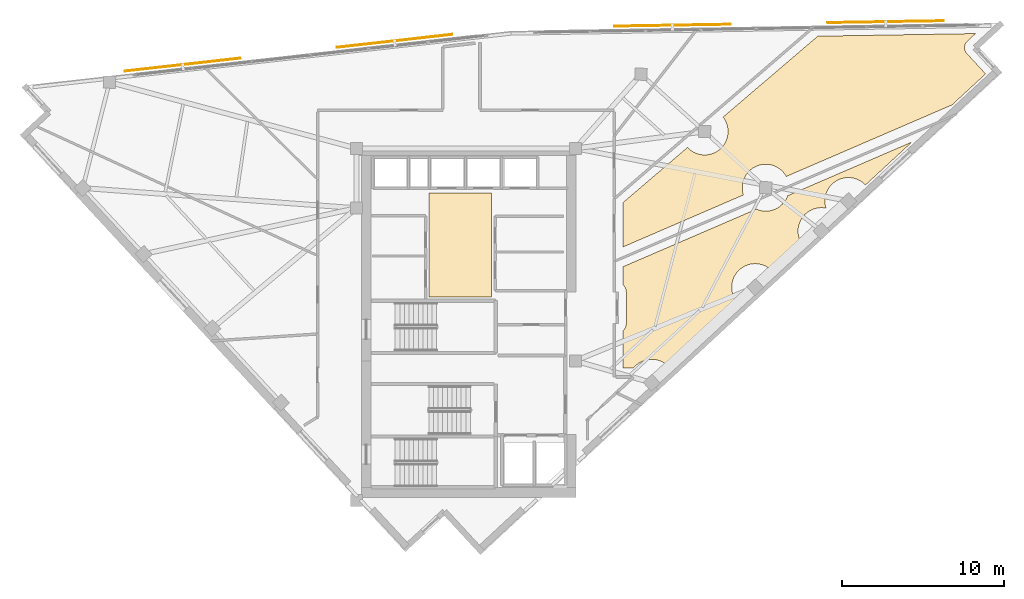
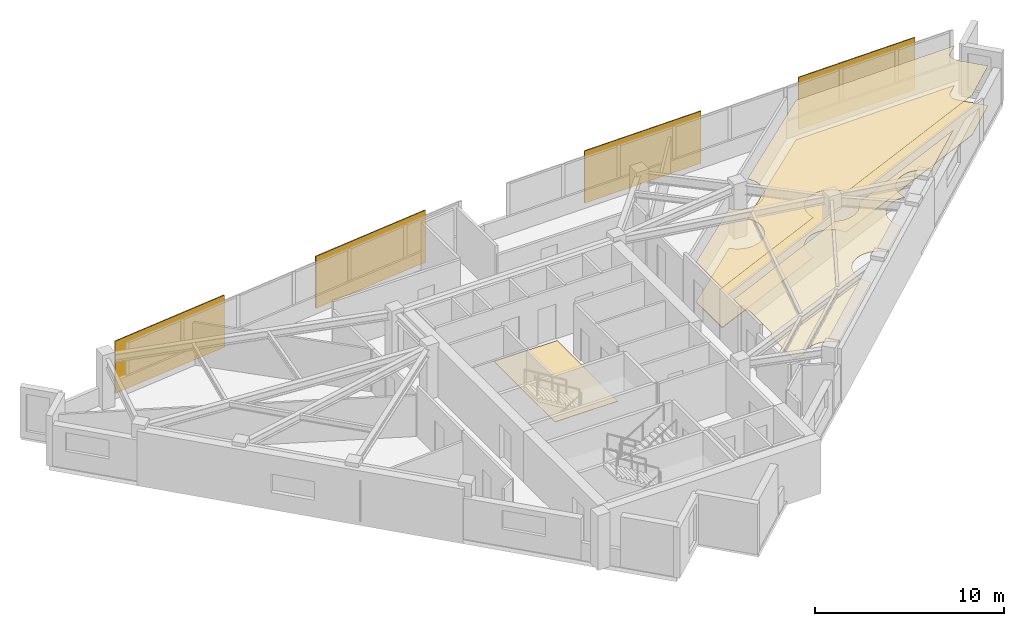
# One storey, part 13 of 13: 4 coverings, 4 shading devices.
"""IFC4 building model written with IfcOpenShell, lengths in metres."""

from ifc_helpers import new_model, si_unit, direction, frame, origin, origin_2d, place, context, subcontext, project, spatial, polyline, rectangle, outline, extrude, material, layer, layer_set, type_object, element, save


model = new_model("IFC4")

# Units and contexts
model_context = context("Model", 3, precision=1e-05, world=origin(), true_north=direction((0.0, 1.0)))
body_context = subcontext(model_context, "Body", "Model", "MODEL_VIEW")
ifc_project = project(units=[si_unit("LENGTHUNIT", "METRE"), si_unit("AREAUNIT", "SQUARE_METRE"), si_unit("VOLUMEUNIT", "CUBIC_METRE"), si_unit("PLANEANGLEUNIT", "RADIAN"), si_unit("MASSUNIT", "GRAM", prefix="KILO")], contexts=[model_context])

# Site, building, storey
site_placement = place(None, origin())
site = spatial("IfcSite", under=ifc_project, at=site_placement, CompositionType="ELEMENT")
building_placement = place(site_placement, origin())
building = spatial("IfcBuilding", under=site, at=building_placement, Name="Narakoshi Arena Tower", CompositionType="ELEMENT")
storey_placement = place(building_placement, frame((0.0, 0.0, 264.260009765625)))
storey = spatial("IfcBuildingStorey", under=building, at=storey_placement, Name="L72", CompositionType="ELEMENT", Elevation=264.260009765625)

# Coverings
ifc_material_1 = material(Name="Acoustic mineral-fibre ceiling tile")
ifc_layer_1 = layer(ifc_material_1, 0.02001953125)
ifc_layer_set_1 = layer_set([ifc_layer_1], Name="Acoustic mineral-fibre ceiling tile")
covering_type_1 = type_object("IfcCoveringType", Name="COV-CLG-AC20", PredefinedType="CEILING", material=ifc_layer_set_1)
covering_1_placement = place(storey_placement, frame((0.0, 0.0, 2.590087890625)))
element("IfcCovering", 1, at=covering_1_placement, inside=storey, type_object=covering_type_1, Name="L72 Suspended Acoustic Ceiling 1", PredefinedType="CEILING", context=body_context, shape_type="SweptSolid", body=[
    extrude(outline(polyline([(109.776611328125, 63.10205078125), (109.742919921875, 63.06005859375), (109.71337890625, 63.014892578125), (109.688232421875, 62.967041015625), (109.668212890625, 62.9169921875), (109.653076171875, 62.865234375), (109.64306640625, 62.81201171875), (109.63818359375, 62.75830078125), (109.638916015625, 62.704345703125), (109.64453125, 62.65087890625), (109.655517578125, 62.597900390625), (109.671875, 62.54638671875), (109.69287109375, 62.496826171875), (109.71875, 62.449462890625), (109.749267578125, 62.40478515625), (109.783935546875, 62.363525390625), (110.94140625, 61.111328125), (108.863037109375, 59.1904296875), (98.60107421875, 54.76025390625), (98.53466796875, 54.87109375), (98.449951171875, 54.9853515625), (98.354248046875, 55.0908203125), (98.248779296875, 55.186279296875), (98.134521484375, 55.27099609375), (98.012451171875, 55.34423828125), (97.8837890625, 55.405029296875), (97.75, 55.453125), (97.61181640625, 55.487548828125), (97.47119140625, 55.508544921875), (97.3291015625, 55.515380859375), (97.18701171875, 55.508544921875), (97.046142578125, 55.487548828125), (96.908203125, 55.453125), (96.774169921875, 55.405029296875), (96.6455078125, 55.34423828125), (96.5234375, 55.27099609375), (96.4091796875, 55.186279296875), (96.3037109375, 55.0908203125), (96.2080078125, 54.9853515625), (96.123291015625, 54.87109375), (96.05029296875, 54.7490234375), (95.989501953125, 54.620361328125), (95.94140625, 54.486328125), (95.906982421875, 54.348388671875), (95.885986328125, 54.20751953125), (95.87890625, 54.0654296875), (95.885986328125, 53.92333984375), (95.906982421875, 53.78271484375), (95.94140625, 53.64453125), (95.951416015625, 53.616455078125), (88.50537109375, 50.402099609375), (88.50537109375, 53.15234375), (92.490234375, 56.556640625), (92.525146484375, 56.518310546875), (92.630615234375, 56.422607421875), (92.744873046875, 56.337890625), (92.866943359375, 56.264892578125), (92.99560546875, 56.2041015625), (93.12939453125, 56.156005859375), (93.267578125, 56.12158203125), (93.408203125, 56.1005859375), (93.55029296875, 56.093505859375), (93.6923828125, 56.1005859375), (93.833251953125, 56.12158203125), (93.97119140625, 56.156005859375), (94.105224609375, 56.2041015625), (94.23388671875, 56.264892578125), (94.35595703125, 56.337890625), (94.47021484375, 56.422607421875), (94.57568359375, 56.518310546875), (94.67138671875, 56.623779296875), (94.756103515625, 56.738037109375), (94.8291015625, 56.860107421875), (94.889892578125, 56.98876953125), (94.93798828125, 57.122802734375), (94.972412109375, 57.2607421875), (94.993408203125, 57.401611328125), (95.00048828125, 57.543701171875), (94.993408203125, 57.685791015625), (94.972412109375, 57.826416015625), (94.93798828125, 57.964599609375), (94.889892578125, 58.098388671875), (94.8291015625, 58.22705078125), (94.756103515625, 58.34912109375), (94.69091796875, 58.43701171875), (100.553466796875, 63.4453125), (110.31787109375, 63.606201171875), (109.814453125, 63.140625), (109.776611328125, 63.10205078125)])), origin(), (0.0, 0.0, 1.0), 0.02001953125),
])
ifc_material_2 = material(Name="Slatted oak acoustic timber baffle", Category="wood")
ifc_layer_2 = layer(ifc_material_2, 0.034912109375)
ifc_layer_set_2 = layer_set([ifc_layer_2], Name="Slatted oak acoustic timber baffle")
covering_type_2 = type_object("IfcCoveringType", Name="COV-CLG-WD35", PredefinedType="CEILING", material=ifc_layer_set_2)
covering_2_placement = place(storey_placement, frame((0.0, 0.0, 2.574951171875)))
element("IfcCovering", 2, at=covering_2_placement, inside=storey, type_object=covering_type_2, Name="L72 Suspended Acoustic Ceiling 2", PredefinedType="CEILING", context=body_context, shape_type="SweptSolid", body=[
    extrude(outline(polyline([(88.50537109375, 45.230712890625), (88.538818359375, 45.260986328125), (88.5751953125, 45.301025390625), (88.607421875, 45.344482421875), (88.635009765625, 45.390625), (88.658203125, 45.439453125), (88.67626953125, 45.490234375), (88.689453125, 45.542724609375), (88.697509765625, 45.59619140625), (88.699951171875, 45.64990234375), (88.699951171875, 47.6201171875), (88.697509765625, 47.673828125), (88.689453125, 47.727294921875), (88.67626953125, 47.77978515625), (88.658203125, 47.83056640625), (88.635009765625, 47.87939453125), (88.607421875, 47.925537109375), (88.5751953125, 47.968994140625), (88.538818359375, 48.0087890625), (88.50537109375, 48.039306640625), (88.50537109375, 49.177734375), (96.75048828125, 52.737060546875), (96.774169921875, 52.725830078125), (96.908203125, 52.677978515625), (97.046142578125, 52.643310546875), (97.18701171875, 52.62255859375), (97.3291015625, 52.615478515625), (97.47119140625, 52.62255859375), (97.61181640625, 52.643310546875), (97.75, 52.677978515625), (97.8837890625, 52.725830078125), (98.012451171875, 52.78662109375), (98.134521484375, 52.85986328125), (98.248779296875, 52.944580078125), (98.354248046875, 53.040283203125), (98.449951171875, 53.1455078125), (98.53466796875, 53.260009765625), (98.60791015625, 53.382080078125), (98.668701171875, 53.510498046875), (98.691650390625, 53.5751953125), (106.378173828125, 56.893310546875), (103.500244140625, 54.233154296875), (103.46875, 54.267822265625), (103.36328125, 54.36328125), (103.2490234375, 54.447998046875), (103.126953125, 54.521240234375), (102.998291015625, 54.58203125), (102.8642578125, 54.630126953125), (102.726318359375, 54.66455078125), (102.58544921875, 54.685546875), (102.443359375, 54.6923828125), (102.30126953125, 54.685546875), (102.160400390625, 54.66455078125), (102.0224609375, 54.630126953125), (101.888427734375, 54.58203125), (101.760009765625, 54.521240234375), (101.6376953125, 54.447998046875), (101.5234375, 54.36328125), (101.418212890625, 54.267822265625), (101.322509765625, 54.162353515625), (101.23779296875, 54.048095703125), (101.16455078125, 53.926025390625), (101.103759765625, 53.79736328125), (101.055908203125, 53.663330078125), (101.021240234375, 53.525390625), (101.00048828125, 53.384521484375), (100.993408203125, 53.242431640625), (101.00048828125, 53.100341796875), (101.021240234375, 52.959716796875), (101.055908203125, 52.821533203125), (101.062744140625, 52.802001953125), (100.923828125, 52.822509765625), (100.78173828125, 52.82958984375), (100.6396484375, 52.822509765625), (100.498779296875, 52.8017578125), (100.36083984375, 52.76708984375), (100.226806640625, 52.71923828125), (100.09814453125, 52.658447265625), (99.97607421875, 52.585205078125), (99.86181640625, 52.50048828125), (99.75634765625, 52.40478515625), (99.660888671875, 52.299560546875), (99.576171875, 52.185302734375), (99.5029296875, 52.06298828125), (99.442138671875, 51.9345703125), (99.39404296875, 51.800537109375), (99.359619140625, 51.66259765625), (99.338623046875, 51.521728515625), (99.331787109375, 51.379638671875), (99.338623046875, 51.237548828125), (99.359619140625, 51.0966796875), (99.39404296875, 50.958740234375), (99.442138671875, 50.82470703125), (99.5029296875, 50.696044921875), (99.56396484375, 50.594482421875), (97.735595703125, 48.904296875), (97.7041015625, 48.939208984375), (97.5986328125, 49.03466796875), (97.484375, 49.119384765625), (97.3623046875, 49.192626953125), (97.233642578125, 49.25341796875), (97.099609375, 49.301513671875), (96.961669921875, 49.3359375), (96.82080078125, 49.356689453125), (96.6787109375, 49.36376953125), (96.53662109375, 49.356689453125), (96.395751953125, 49.3359375), (96.2578125, 49.301513671875), (96.123779296875, 49.25341796875), (95.9951171875, 49.192626953125), (95.873046875, 49.119384765625), (95.7587890625, 49.03466796875), (95.6533203125, 48.939208984375), (95.557861328125, 48.833740234375), (95.47314453125, 48.719482421875), (95.39990234375, 48.597412109375), (95.339111328125, 48.46875), (95.291015625, 48.334716796875), (95.256591796875, 48.19677734375), (95.235595703125, 48.055908203125), (95.228759765625, 47.913818359375), (95.235595703125, 47.771728515625), (95.256591796875, 47.630859375), (95.291015625, 47.492919921875), (95.339111328125, 47.35888671875), (95.39990234375, 47.230224609375), (95.47314453125, 47.108154296875), (95.557861328125, 46.993896484375), (95.6083984375, 46.93798828125), (91.330322265625, 42.9833984375), (91.298828125, 43.018310546875), (91.193359375, 43.11376953125), (91.0791015625, 43.198486328125), (90.95703125, 43.271728515625), (90.828369140625, 43.33251953125), (90.6943359375, 43.380615234375), (90.556396484375, 43.4150390625), (90.41552734375, 43.435791015625), (90.2734375, 43.44287109375), (90.13134765625, 43.435791015625), (89.990478515625, 43.4150390625), (89.8525390625, 43.380615234375), (89.718505859375, 43.33251953125), (89.590087890625, 43.271728515625), (89.468017578125, 43.198486328125), (89.353515625, 43.11376953125), (89.248291015625, 43.018310546875), (89.152587890625, 42.912841796875), (89.14306640625, 42.89990234375), (89.142578125, 42.89990234375), (88.50537109375, 42.89990234375), (88.50537109375, 45.230712890625)])), origin(), (0.0, 0.0, 1.0), 0.03515625),
])
ifc_material_3 = material(Name="Raised steel access floor panel", Category="steel")
ifc_layer_3 = layer(ifc_material_3, 0.044921875)
ifc_layer_set_3 = layer_set([ifc_layer_3], Name="Raised steel access floor panel")
covering_type_3 = type_object("IfcCoveringType", Name="COV-FLR-RF45", PredefinedType="FLOORING", material=ifc_layer_set_3)
covering_3_placement = place(storey_placement, origin())
element("IfcCovering", 3, at=covering_3_placement, inside=storey, type_object=covering_type_3, Name="L72 Raised Steel Access Floor", PredefinedType="FLOORING", context=body_context, shape_type="SweptSolid", body=[
    extrude(outline(polyline([(109.776611328125, 63.10205078125), (109.742919921875, 63.06005859375), (109.71337890625, 63.014892578125), (109.688232421875, 62.967041015625), (109.668212890625, 62.9169921875), (109.653076171875, 62.865234375), (109.64306640625, 62.81201171875), (109.63818359375, 62.75830078125), (109.638916015625, 62.704345703125), (109.64453125, 62.65087890625), (109.655517578125, 62.597900390625), (109.671875, 62.54638671875), (109.69287109375, 62.496826171875), (109.71875, 62.449462890625), (109.749267578125, 62.40478515625), (109.783935546875, 62.363525390625), (110.94140625, 61.111328125), (108.863037109375, 59.1904296875), (98.60107421875, 54.76025390625), (98.53466796875, 54.87109375), (98.449951171875, 54.9853515625), (98.354248046875, 55.0908203125), (98.248779296875, 55.186279296875), (98.134521484375, 55.27099609375), (98.012451171875, 55.34423828125), (97.8837890625, 55.405029296875), (97.75, 55.453125), (97.61181640625, 55.487548828125), (97.47119140625, 55.508544921875), (97.3291015625, 55.515380859375), (97.18701171875, 55.508544921875), (97.046142578125, 55.487548828125), (96.908203125, 55.453125), (96.774169921875, 55.405029296875), (96.6455078125, 55.34423828125), (96.5234375, 55.27099609375), (96.4091796875, 55.186279296875), (96.3037109375, 55.0908203125), (96.2080078125, 54.9853515625), (96.123291015625, 54.87109375), (96.05029296875, 54.7490234375), (95.989501953125, 54.620361328125), (95.94140625, 54.486328125), (95.906982421875, 54.348388671875), (95.885986328125, 54.20751953125), (95.87890625, 54.0654296875), (95.885986328125, 53.92333984375), (95.906982421875, 53.78271484375), (95.94140625, 53.64453125), (95.951416015625, 53.616455078125), (88.50537109375, 50.402099609375), (88.50537109375, 53.15234375), (92.490234375, 56.556640625), (92.525146484375, 56.518310546875), (92.630615234375, 56.422607421875), (92.744873046875, 56.337890625), (92.866943359375, 56.264892578125), (92.99560546875, 56.2041015625), (93.12939453125, 56.156005859375), (93.267578125, 56.12158203125), (93.408203125, 56.1005859375), (93.55029296875, 56.093505859375), (93.6923828125, 56.1005859375), (93.833251953125, 56.12158203125), (93.97119140625, 56.156005859375), (94.105224609375, 56.2041015625), (94.23388671875, 56.264892578125), (94.35595703125, 56.337890625), (94.47021484375, 56.422607421875), (94.57568359375, 56.518310546875), (94.67138671875, 56.623779296875), (94.756103515625, 56.738037109375), (94.8291015625, 56.860107421875), (94.889892578125, 56.98876953125), (94.93798828125, 57.122802734375), (94.972412109375, 57.2607421875), (94.993408203125, 57.401611328125), (95.00048828125, 57.543701171875), (94.993408203125, 57.685791015625), (94.972412109375, 57.826416015625), (94.93798828125, 57.964599609375), (94.889892578125, 58.098388671875), (94.8291015625, 58.22705078125), (94.756103515625, 58.34912109375), (94.69091796875, 58.43701171875), (100.553466796875, 63.4453125), (110.31787109375, 63.606201171875), (109.814453125, 63.140625), (109.776611328125, 63.10205078125)])), origin(), (0.0, 0.0, 1.0), 0.044921875),
])
ifc_material_4 = material(Name="Honed granite stone paving", Category="masonry")
ifc_layer_4 = layer(ifc_material_4, 0.030029296875)
ifc_layer_set_4 = layer_set([ifc_layer_4], Name="Honed granite stone paving")
covering_type_4 = type_object("IfcCoveringType", Name="COV-FLR-ST30", PredefinedType="FLOORING", material=ifc_layer_set_4)
covering_4_placement = place(storey_placement, origin())
element("IfcCovering", 4, at=covering_4_placement, inside=storey, type_object=covering_type_4, Name="L72 Lift Lobby Granite Flooring", PredefinedType="FLOORING", context=body_context, shape_type="SweptSolid", body=[
    extrude(outline(polyline([(76.5, 47.300048828125), (80.35009765625, 47.300048828125), (80.35009765625, 53.75), (76.5, 53.75), (76.5, 47.300048828125)])), origin(), (0.0, 0.0, 1.0), 0.030029296875),
])

# Shading devices
ifc_material_5 = material(Name="Perforated bronze ceramic-metal composite")
ifc_layer_5 = layer(ifc_material_5, 0.06005859375)
ifc_layer_set_5 = layer_set([ifc_layer_5], Name="Perforated bronze ceramic-metal composite")
shading_device_type = type_object("IfcShadingDeviceType", Name="SHD-SCR-BRZ2", PredefinedType="USERDEFINED", material=ifc_layer_set_5)
for number, where, z_axis, x_axis, name in (
    (5, (104.75439453125, 64.334716796875, 0.0), (0.0, 0.0, 1.0), (-0.999864849778, -0.016440260879, 0.0), "L72 Perforated Bronze Solar Screen 1-1"),
    (6, (91.556396484375, 64.11767578125, 0.0), (0.0, 0.0, 1.0), (-0.999864849778, -0.016440260879, 0.0), "L72 Perforated Bronze Solar Screen 1-2"),
    (7, (74.3623046875, 63.149658203125, 0.0), (0.0, 0.0, 1.0), (-0.993775698738, -0.111399553846, 0.0), "L72 Perforated Bronze Solar Screen 2-1"),
    (8, (61.24462890625, 61.67919921875, 0.0), (0.0, 0.0, 1.0), (-0.993775698738, -0.111399553846, 0.0), "L72 Perforated Bronze Solar Screen 2-2"),
):
    element("IfcShadingDevice", number, at=place(storey_placement, frame(where, z_axis=z_axis, x_axis=x_axis)), inside=storey, type_object=shading_device_type, Name=name, ObjectType="SOLAR SCREEN", PredefinedType="USERDEFINED", context=body_context, shape_type="SweptSolid", body=[
        extrude(rectangle(XDim=7.199951171875, YDim=0.06005859375, at=origin_2d()), origin(), (0.0, 0.0, 1.0), 3.3701171875),
    ])

save(model, "model.ifc")
